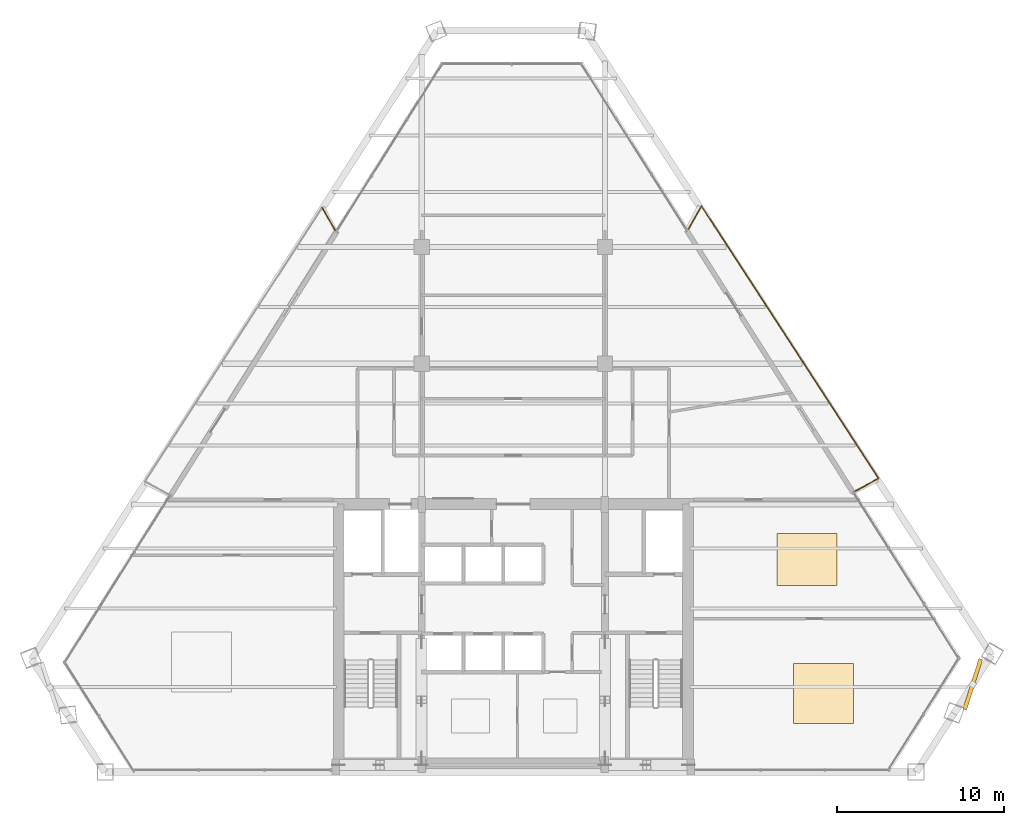
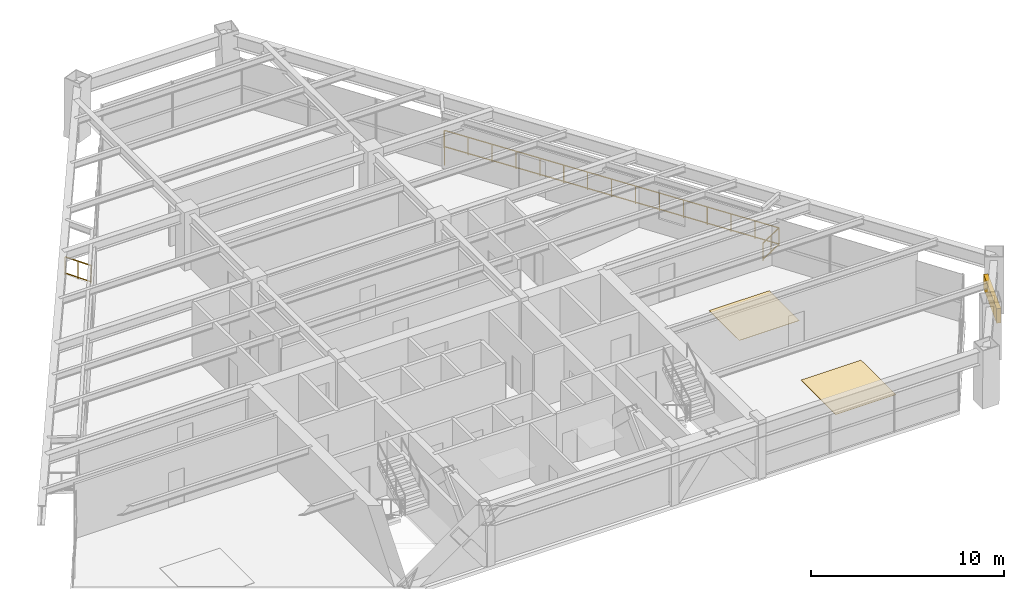
# One storey, part 15 of 15: 4 railings, 2 coverings, 1 shading device.
"""IFC4 building model written with IfcOpenShell, lengths in metres."""

from ifc_helpers import new_model, si_unit, direction, frame, origin, origin_2d, place, context, subcontext, project, spatial, rectangle, extrude, source, transform, mapped, material, layer, layer_set, type_object, type_shapes, element, save


model = new_model("IFC4")

# Units and contexts
model_context = context("Model", 3, precision=1e-05, world=origin(), true_north=direction((0.0, 1.0)))
body_context = subcontext(model_context, "Body", "Model", "MODEL_VIEW")
ifc_project = project(units=[si_unit("LENGTHUNIT", "METRE"), si_unit("AREAUNIT", "SQUARE_METRE"), si_unit("VOLUMEUNIT", "CUBIC_METRE"), si_unit("PLANEANGLEUNIT", "RADIAN"), si_unit("MASSUNIT", "GRAM", prefix="KILO")], contexts=[model_context])

# Site, building, storey
site_placement = place(None, origin())
site = spatial("IfcSite", under=ifc_project, at=site_placement, CompositionType="ELEMENT")
building_placement = place(site_placement, origin())
building = spatial("IfcBuilding", under=site, at=building_placement, Name="Varnakhor Terracotta Tower", CompositionType="ELEMENT")
storey_placement = place(building_placement, frame((0.0, 0.0, 171.0)))
storey = spatial("IfcBuildingStorey", under=building, at=storey_placement, Name="L43", CompositionType="ELEMENT", Elevation=171.0)

# Railings
ifc_material_1 = material(Name="Stainless Steel & Laminated Glass Guardrail", Category="steel")
railing_type = type_object("IfcRailingType", Name="RLG-LOGGIA-GUARD-1150", PredefinedType="GUARDRAIL", material=ifc_material_1)
railing_1_placement = place(storey_placement, frame((10.51318359375, 32.5791015625, 0.0)))
element("IfcRailing", 1, at=railing_1_placement, inside=storey, type_object=railing_type, Name="L43 E Loggia Glass Guard 1", PredefinedType="GUARDRAIL", context=body_context, shape_type="SweptSolid", body=[
    extrude(rectangle(XDim=0.048095703125, YDim=0.048095703125, at=origin_2d()), frame((0.0, 0.0, 1.1259765625), z_axis=(0.493059575774, 0.869995548689, 0.0), x_axis=(-0.869995548689, 0.493059575774, 0.0)), (0.0, 0.0, 1.0), 1.572509765625),
    extrude(rectangle(XDim=0.048095703125, YDim=0.048095703125, at=origin_2d()), frame((0.0, 0.0, 0.10009765625), z_axis=(0.493059575774, 0.869995548689, 0.0), x_axis=(-0.869995548689, 0.493059575774, 0.0)), (0.0, 0.0, 1.0), 1.572509765625),
    extrude(rectangle(XDim=0.0419921875, YDim=0.0419921875, at=origin_2d()), origin(), (0.0, 0.0, 1.0), 1.101806640625),
    extrude(rectangle(XDim=0.0419921875, YDim=0.0419921875, at=origin_2d()), frame((0.3876953125, 0.68408203125, 0.0)), (0.0, 0.0, 1.0), 1.101806640625),
    extrude(rectangle(XDim=0.0419921875, YDim=0.0419921875, at=origin_2d()), frame((0.775390625, 1.3681640625, 0.0)), (0.0, 0.0, 1.0), 1.101806640625),
])
railing_2_placement = place(storey_placement, frame((11.28857421875, 33.947265625, 0.0)))
element("IfcRailing", 2, at=railing_2_placement, inside=storey, type_object=railing_type, Name="L43 E Loggia Glass Guard 2", PredefinedType="GUARDRAIL", context=body_context, shape_type="SweptSolid", body=[
    extrude(rectangle(XDim=0.048095703125, YDim=0.048095703125, at=origin_2d()), frame((0.0, 0.0, 1.1259765625), z_axis=(0.545570619254, -0.838064853938, 0.0), x_axis=(0.838064853938, 0.545570619254, 0.0)), (0.0, 0.0, 1.0), 19.47900390625),
    extrude(rectangle(XDim=0.048095703125, YDim=0.048095703125, at=origin_2d()), frame((0.0, 0.0, 0.10009765625), z_axis=(0.545570619254, -0.838064853938, 0.0), x_axis=(0.838064853938, 0.545570619254, 0.0)), (0.0, 0.0, 1.0), 19.47900390625),
    extrude(rectangle(XDim=0.0419921875, YDim=0.0419921875, at=origin_2d()), origin(), (0.0, 0.0, 1.0), 1.101806640625),
    extrude(rectangle(XDim=0.0419921875, YDim=0.0419921875, at=origin_2d()), frame((0.759033203125, -1.166015625, 0.0)), (0.0, 0.0, 1.0), 1.101806640625),
    extrude(rectangle(XDim=0.0419921875, YDim=0.0419921875, at=origin_2d()), frame((1.51806640625, -2.33203125, 0.0)), (0.0, 0.0, 1.0), 1.101806640625),
    extrude(rectangle(XDim=0.0419921875, YDim=0.0419921875, at=origin_2d()), frame((2.27734375, -3.498046875, 0.0)), (0.0, 0.0, 1.0), 1.101806640625),
    extrude(rectangle(XDim=0.0419921875, YDim=0.0419921875, at=origin_2d()), frame((3.036376953125, -4.664306640625, 0.0)), (0.0, 0.0, 1.0), 1.101806640625),
    extrude(rectangle(XDim=0.0419921875, YDim=0.0419921875, at=origin_2d()), frame((3.79541015625, -5.830322265625, 0.0)), (0.0, 0.0, 1.0), 1.101806640625),
    extrude(rectangle(XDim=0.0419921875, YDim=0.0419921875, at=origin_2d()), frame((4.554443359375, -6.996337890625, 0.0)), (0.0, 0.0, 1.0), 1.101806640625),
    extrude(rectangle(XDim=0.0419921875, YDim=0.0419921875, at=origin_2d()), frame((5.3134765625, -8.162353515625, 0.0)), (0.0, 0.0, 1.0), 1.101806640625),
    extrude(rectangle(XDim=0.0419921875, YDim=0.0419921875, at=origin_2d()), frame((6.07275390625, -9.328369140625, 0.0)), (0.0, 0.0, 1.0), 1.101806640625),
    extrude(rectangle(XDim=0.0419921875, YDim=0.0419921875, at=origin_2d()), frame((6.831787109375, -10.494384765625, 0.0)), (0.0, 0.0, 1.0), 1.101806640625),
    extrude(rectangle(XDim=0.0419921875, YDim=0.0419921875, at=origin_2d()), frame((7.5908203125, -11.660400390625, 0.0)), (0.0, 0.0, 1.0), 1.101806640625),
    extrude(rectangle(XDim=0.0419921875, YDim=0.0419921875, at=origin_2d()), frame((8.349853515625, -12.82666015625, 0.0)), (0.0, 0.0, 1.0), 1.101806640625),
    extrude(rectangle(XDim=0.0419921875, YDim=0.0419921875, at=origin_2d()), frame((9.109130859375, -13.99267578125, 0.0)), (0.0, 0.0, 1.0), 1.101806640625),
    extrude(rectangle(XDim=0.0419921875, YDim=0.0419921875, at=origin_2d()), frame((9.8681640625, -15.15869140625, 0.0)), (0.0, 0.0, 1.0), 1.101806640625),
    extrude(rectangle(XDim=0.0419921875, YDim=0.0419921875, at=origin_2d()), frame((10.627197265625, -16.32470703125, 0.0)), (0.0, 0.0, 1.0), 1.101806640625),
])
railing_3_placement = place(storey_placement, frame((21.915771484375, 17.62255859375, 0.0)))
element("IfcRailing", 3, at=railing_3_placement, inside=storey, type_object=railing_type, Name="L43 E Loggia Glass Guard 3", PredefinedType="GUARDRAIL", context=body_context, shape_type="SweptSolid", body=[
    extrude(rectangle(XDim=0.048095703125, YDim=0.048095703125, at=origin_2d()), frame((0.0, 0.0, 1.1259765625), z_axis=(-0.874784451522, -0.48451229435, 0.0), x_axis=(0.48451229435, -0.874784451522, 0.0)), (0.0, 0.0, 1.0), 1.614013671875),
    extrude(rectangle(XDim=0.048095703125, YDim=0.048095703125, at=origin_2d()), frame((0.0, 0.0, 0.10009765625), z_axis=(-0.874784451522, -0.48451229435, 0.0), x_axis=(0.48451229435, -0.874784451522, 0.0)), (0.0, 0.0, 1.0), 1.614013671875),
    extrude(rectangle(XDim=0.0419921875, YDim=0.0419921875, at=origin_2d()), origin(), (0.0, 0.0, 1.0), 1.101806640625),
    extrude(rectangle(XDim=0.0419921875, YDim=0.0419921875, at=origin_2d()), frame((-0.7060546875, -0.39111328125, 0.0)), (0.0, 0.0, 1.0), 1.101806640625),
    extrude(rectangle(XDim=0.0419921875, YDim=0.0419921875, at=origin_2d()), frame((-1.411865234375, -0.781982421875, 0.0)), (0.0, 0.0, 1.0), 1.101806640625),
])
railing_4_placement = place(storey_placement, frame((-11.47119140625, 33.876220703125, 0.0)))
element("IfcRailing", 4, at=railing_4_placement, inside=storey, type_object=railing_type, Name="L43 W Loggia Glass Guard 3", PredefinedType="GUARDRAIL", context=body_context, shape_type="SweptSolid", body=[
    extrude(rectangle(XDim=0.048095703125, YDim=0.048095703125, at=origin_2d()), frame((0.0, 0.0, 1.1259765625), z_axis=(0.495151446004, -0.868806679026, 0.0), x_axis=(0.868806679026, 0.495151446004, 0.0)), (0.0, 0.0, 1.0), 1.5712890625),
    extrude(rectangle(XDim=0.048095703125, YDim=0.048095703125, at=origin_2d()), frame((0.0, 0.0, 0.10009765625), z_axis=(0.495151446004, -0.868806679026, 0.0), x_axis=(0.868806679026, 0.495151446004, 0.0)), (0.0, 0.0, 1.0), 1.5712890625),
    extrude(rectangle(XDim=0.0419921875, YDim=0.0419921875, at=origin_2d()), origin(), (0.0, 0.0, 1.0), 1.101806640625),
    extrude(rectangle(XDim=0.0419921875, YDim=0.0419921875, at=origin_2d()), frame((0.38916015625, -0.6826171875, 0.0)), (0.0, 0.0, 1.0), 1.101806640625),
    extrude(rectangle(XDim=0.0419921875, YDim=0.0419921875, at=origin_2d()), frame((0.778076171875, -1.365234375, 0.0)), (0.0, 0.0, 1.0), 1.101806640625),
])

# Shading device
ifc_material_2 = material(Name="Extruded Architectural Terracotta Screen", Category="masonry")
shading_device_type = type_object("IfcShadingDeviceType", Name="TERRACOTTA SOLAR SCREEN E", PredefinedType="USERDEFINED", material=ifc_material_2)
shared_shape_1 = source(origin(), body_context, "Body", "SweptSolid", [
    extrude(rectangle(XDim=3.199951171875, YDim=0.239990234375, at=origin_2d()), origin(), (0.0, 0.0, 1.0), 0.919921875),
])
type_shapes(shading_device_type, [shared_shape_1])
shading_device_placement = place(storey_placement, frame((27.56298828125, 5.259765625, 1.7099609375), z_axis=(0.0, 0.0, 1.0), x_axis=(0.305811627231, 0.952092037909, 0.0)))
element("IfcShadingDevice", 5, at=shading_device_placement, inside=storey, type_object=shading_device_type, Name="L43 E Terracotta Solar Screen", ObjectType="SCREEN", PredefinedType="USERDEFINED", context=body_context, shape_type="MappedRepresentation", body=[
    mapped(shared_shape_1, transform((0.0, 0.0, 0.0), scale=1.0)),
])

# Coverings
ifc_material_3 = material(Name="Honed Riyadh Limestone Flooring", Category="masonry")
ifc_layer = layer(ifc_material_3, 0.030029296875, Name="Honed Riyadh Limestone Flooring")
ifc_layer_set = layer_set([ifc_layer], Name="Honed Riyadh Limestone Flooring")
covering_type = type_object("IfcCoveringType", Name="COV-FLOOR-LIMESTONE", PredefinedType="FLOORING", material=ifc_layer_set)
shared_shape_2 = source(origin(), body_context, "Body", "SweptSolid", [
    extrude(rectangle(XDim=3.60009765625, YDim=3.60009765625, at=origin_2d()), origin(), (0.0, 0.0, 1.0), 0.02001953125),
])
covering_1_placement = place(storey_placement, frame((18.614990234375, 4.701904296875, 0.0), z_axis=(0.0, 0.0, 1.0), x_axis=(1.0, 0.0, 0.0)))
element("IfcCovering", 6, at=covering_1_placement, inside=storey, type_object=covering_type, Name="L43 Honed Stone Flooring 3", PredefinedType="FLOORING", context=body_context, shape_type="MappedRepresentation", body=[
    mapped(shared_shape_2, transform((0.0, 0.0, 0.0), scale=1.0)),
])
shared_shape_3 = source(origin(), body_context, "Body", "SweptSolid", [
    extrude(rectangle(XDim=3.60009765625, YDim=3.1220703125, at=origin_2d()), origin(), (0.0, 0.0, 1.0), 0.02001953125),
])
covering_2_placement = place(storey_placement, frame((17.631103515625, 12.763916015625, 0.0), z_axis=(0.0, 0.0, 1.0), x_axis=(1.0, 0.0, 0.0)))
element("IfcCovering", 7, at=covering_2_placement, inside=storey, type_object=covering_type, Name="L43 Honed Stone Flooring 5", PredefinedType="FLOORING", context=body_context, shape_type="MappedRepresentation", body=[
    mapped(shared_shape_3, transform((0.0, 0.0, 0.0), scale=1.0)),
])

save(model, "model.ifc")
